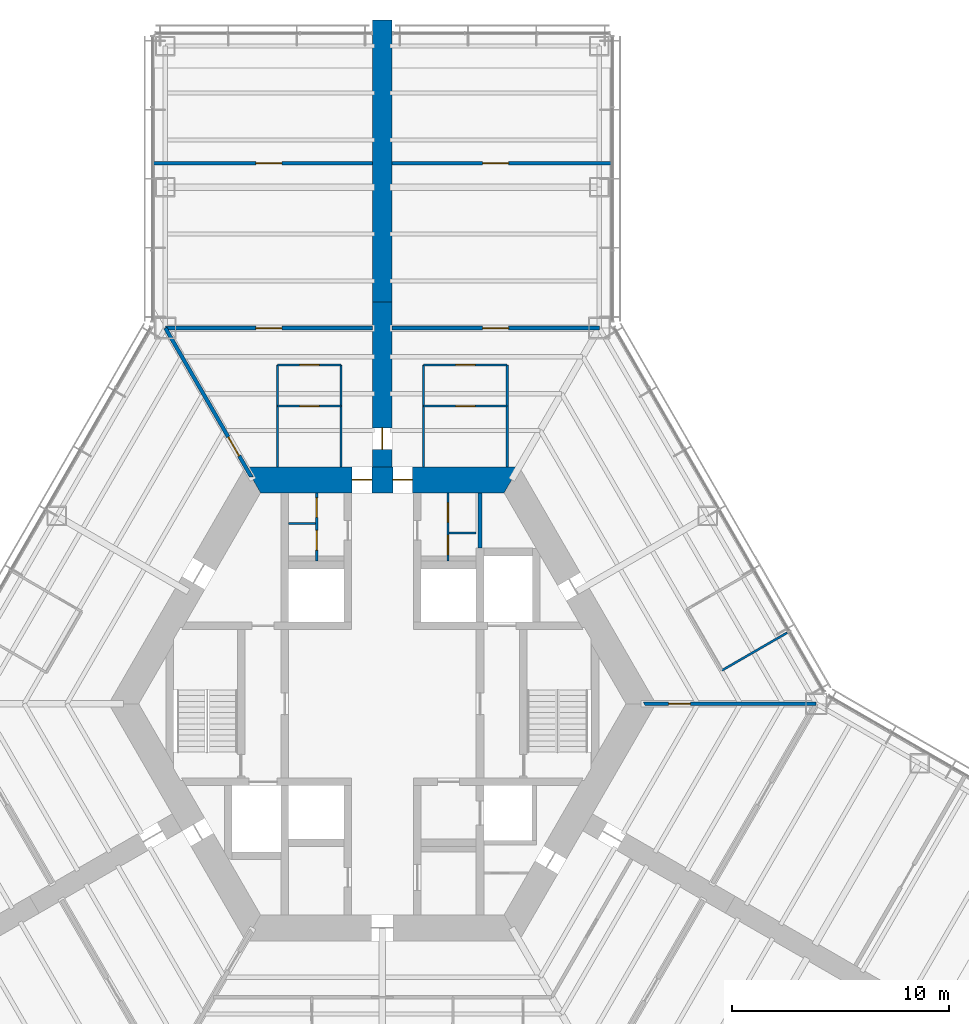
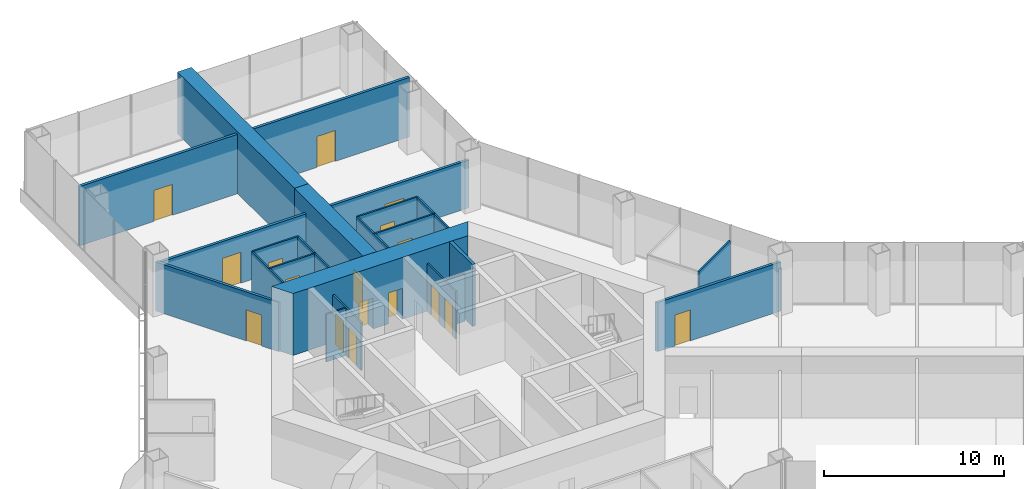
# One storey, part 13 of 16: 23 walls, 17 doors, 17 openings.
"""IFC4 building model written with IfcOpenShell, lengths in metres."""

from ifc_helpers import new_model, si_unit, direction, frame, frame_2d, origin, place, context, subcontext, project, spatial, polyline, rectangle, outline, extrude, material, layer, layer_set, type_object, element, fill, save


model = new_model("IFC4")

# Units and contexts
model_context = context("Model", 3, precision=1e-05, world=origin(), true_north=direction((0.0, 1.0)))
body_context = subcontext(model_context, "Body", "Model", "MODEL_VIEW")
ifc_project = project(units=[si_unit("LENGTHUNIT", "METRE"), si_unit("AREAUNIT", "SQUARE_METRE"), si_unit("VOLUMEUNIT", "CUBIC_METRE"), si_unit("PLANEANGLEUNIT", "RADIAN"), si_unit("MASSUNIT", "GRAM", prefix="KILO")], contexts=[model_context])

# Site, building, storey
site_placement = place(None, origin())
site = spatial("IfcSite", under=ifc_project, at=site_placement, CompositionType="ELEMENT")
building_placement = place(site_placement, origin())
building = spatial("IfcBuilding", under=site, at=building_placement, Name="Kasaneha Research Tower", CompositionType="ELEMENT")
storey_placement = place(building_placement, frame((0.0, 0.0, 26.800048828125)))
storey = spatial("IfcBuildingStorey", under=building, at=storey_placement, Name="L07", CompositionType="ELEMENT", Elevation=26.800048828125)

# Wall, openings, doors
ifc_material_1 = material(Name="Concrete Fc100", Category="concrete")
ifc_layer_1 = layer(ifc_material_1, 1.199951171875)
ifc_layer_set_1 = layer_set([ifc_layer_1], Name="Core wall 1200 Fc100")
wall_type_1 = type_object("IfcWallType", Name="Core wall 1200 Fc100", PredefinedType="SHEAR", material=ifc_layer_set_1)
wall_1_placement = place(storey_placement, frame((5.961181640625, 10.324951171875, 0.0), z_axis=(0.0, 0.0, 1.0), x_axis=(-1.0, 0.0, 0.0)))
wall_1 = element("IfcWall", 1, at=wall_1_placement, inside=storey, type_object=wall_type_1, Name="Core wall 090 L07", PredefinedType="SHEAR", context=body_context, shape_type="SweptSolid", body=[
    extrude(outline(polyline([(-0.346435546875, -0.60009765625), (4.57373046875, -0.60009765625), (5.4736328125, -0.60009765625), (6.44873046875, -0.60009765625), (7.3486328125, -0.60009765625), (12.268798828125, -0.60009765625), (11.575927734375, 0.60009765625), (7.3486328125, 0.60009765625), (6.44873046875, 0.60009765625), (5.4736328125, 0.60009765625), (4.57373046875, 0.60009765625), (0.346435546875, 0.60009765625), (-0.346435546875, -0.60009765625)])), origin(), (0.0, 0.0, 1.0), 4.199951171875),
])
opening_1_placement = place(wall_1_placement, frame((6.44873046875, 0.0, 0.0)))
opening_1 = element("IfcOpeningElement", 2, at=opening_1_placement, cuts=wall_1, Name="Opening L07-D01", PredefinedType="OPENING", context=body_context, shape_type="SweptSolid", body=[
    extrude(rectangle(XDim=0.89990234375, YDim=2.10009765625, at=frame_2d((0.449951171875, 1.050048828125))), frame((0.0, 0.60986328125, 0.0), z_axis=(0.0, -1.0, 0.0), x_axis=(1.0, 0.0, 0.0)), (0.0, 0.0, 1.0), 1.219970703125),
])
opening_2_placement = place(wall_1_placement, frame((4.57373046875, 0.0, 0.0)))
opening_2 = element("IfcOpeningElement", 3, at=opening_2_placement, cuts=wall_1, Name="Opening L07-D02", PredefinedType="OPENING", context=body_context, shape_type="SweptSolid", body=[
    extrude(rectangle(XDim=0.89990234375, YDim=2.10009765625, at=frame_2d((0.449951171875, 1.050048828125))), frame((0.0, 0.60986328125, 0.0), z_axis=(0.0, -1.0, 0.0), x_axis=(1.0, 0.0, 0.0)), (0.0, 0.0, 1.0), 1.219970703125),
])
ifc_material_2 = material(Name="Steel", Category="steel")
door_type_1 = type_object("IfcDoorType", Name="Toilet door FD20 900x2100", OperationType="NOTDEFINED", PredefinedType="DOOR", material=ifc_material_2)
door_1_placement = place(opening_1_placement, origin())
door_1 = element("IfcDoor", 4, at=door_1_placement, inside=storey, type_object=door_type_1, Name="Core door north 1 L07-D01", OperationType="SINGLE_SWING_RIGHT", OverallHeight=2.10009765625, OverallWidth=0.89990234375, PredefinedType="DOOR", context=body_context, shape_type="SweptSolid", body=[
    extrude(rectangle(XDim=0.89990234375, YDim=2.10009765625, at=frame_2d((0.449951171875, 1.050048828125))), frame((0.0, 0.02490234375, 0.0), z_axis=(0.0, -1.0, 0.0), x_axis=(1.0, 0.0, 0.0)), (0.0, 0.0, 1.0), 0.050048828125),
])
fill(opening_1, door_1)
door_2_placement = place(opening_2_placement, origin())
door_2 = element("IfcDoor", 5, at=door_2_placement, inside=storey, type_object=door_type_1, Name="Core door north 2 L07-D02", OperationType="SINGLE_SWING_LEFT", OverallHeight=2.10009765625, OverallWidth=0.89990234375, PredefinedType="DOOR", context=body_context, shape_type="SweptSolid", body=[
    extrude(rectangle(XDim=0.89990234375, YDim=2.10009765625, at=frame_2d((0.449951171875, 1.050048828125))), frame((0.0, 0.02490234375, 0.0), z_axis=(0.0, -1.0, 0.0), x_axis=(1.0, 0.0, 0.0)), (0.0, 0.0, 1.0), 0.050048828125),
])
fill(opening_2, door_2)

# Wall, opening, door
ifc_material_3 = material(Name="Gypsum board on steel studs, two layers each side", Category="steel")
ifc_layer_2 = layer(ifc_material_3, 0.175048828125)
ifc_layer_set_2 = layer_set([ifc_layer_2], Name="Laboratory fire partition 175")
wall_type_2 = type_object("IfcWallType", Name="Laboratory fire partition 175", PredefinedType="PARTITIONING", material=ifc_layer_set_2)
wall_2_placement = place(storey_placement, frame((0.449951171875, 17.320556640625, 0.0), z_axis=(0.0, 0.0, 1.0), x_axis=(1.0, 0.0, 0.0)))
wall_2 = element("IfcWall", 6, at=wall_2_placement, inside=storey, type_object=wall_type_2, Name="Laboratory fire partition LABA-E L07", PredefinedType="PARTITIONING", context=body_context, shape_type="SweptSolid", body=[
    extrude(rectangle(XDim=9.550048828125, YDim=0.175048828125, at=frame_2d((4.77490234375, 0.0))), origin(), (0.0, 0.0, 1.0), 3.238037109375),
])
opening_3_placement = place(wall_2_placement, frame((4.175048828125, 0.0, 0.0)))
opening_3 = element("IfcOpeningElement", 7, at=opening_3_placement, cuts=wall_2, Name="Opening L07-D30", PredefinedType="OPENING", context=body_context, shape_type="SweptSolid", body=[
    extrude(rectangle(XDim=1.199951171875, YDim=2.10009765625, at=frame_2d((0.60009765625, 1.050048828125))), frame((0.0, 0.09765625, 0.0), z_axis=(0.0, -1.0, 0.0), x_axis=(1.0, 0.0, 0.0)), (0.0, 0.0, 1.0), 0.195068359375),
])
ifc_material_4 = material(Name="Steel", Category="steel")
door_type_2 = type_object("IfcDoorType", Name="Laboratory door FD60 1200x2100", OperationType="DOUBLE_DOOR_SINGLE_SWING", PredefinedType="DOOR", material=ifc_material_4)
door_3_placement = place(opening_3_placement, origin())
door_3 = element("IfcDoor", 8, at=door_3_placement, inside=storey, type_object=door_type_2, Name="Laboratory door L07-D30", OperationType="DOUBLE_DOOR_SINGLE_SWING", OverallHeight=2.10009765625, OverallWidth=1.199951171875, PredefinedType="DOOR", context=body_context, shape_type="SweptSolid", body=[
    extrude(rectangle(XDim=1.199951171875, YDim=2.10009765625, at=frame_2d((0.60009765625, 1.050048828125))), frame((0.0, 0.02490234375, 0.0), z_axis=(0.0, -1.0, 0.0), x_axis=(1.0, 0.0, 0.0)), (0.0, 0.0, 1.0), 0.050048828125),
])
fill(opening_3, door_3)

wall_3_placement = place(storey_placement, frame((0.449951171875, 24.92041015625, 0.0), z_axis=(0.0, 0.0, 1.0), x_axis=(1.0, 0.0, 0.0)))
wall_3 = element("IfcWall", 9, at=wall_3_placement, inside=storey, type_object=wall_type_2, Name="Laboratory fire partition SUPA-E L07", PredefinedType="PARTITIONING", context=body_context, shape_type="SweptSolid", body=[
    extrude(rectangle(XDim=10.135009765625, YDim=0.175048828125, at=frame_2d((5.0673828125, 0.0))), origin(), (0.0, 0.0, 1.0), 4.030029296875),
])
opening_4_placement = place(wall_3_placement, frame((4.175048828125, 0.0, 0.0)))
opening_4 = element("IfcOpeningElement", 10, at=opening_4_placement, cuts=wall_3, Name="Opening L07-D32", PredefinedType="OPENING", context=body_context, shape_type="SweptSolid", body=[
    extrude(rectangle(XDim=1.199951171875, YDim=2.10009765625, at=frame_2d((0.60009765625, 1.050048828125))), frame((0.0, 0.09765625, 0.0), z_axis=(0.0, -1.0, 0.0), x_axis=(1.0, 0.0, 0.0)), (0.0, 0.0, 1.0), 0.195068359375),
])
door_4_placement = place(opening_4_placement, origin())
door_4 = element("IfcDoor", 11, at=door_4_placement, inside=storey, type_object=door_type_2, Name="Laboratory support room door L07-D32", OperationType="DOUBLE_DOOR_SINGLE_SWING", OverallHeight=2.10009765625, OverallWidth=1.199951171875, PredefinedType="DOOR", context=body_context, shape_type="SweptSolid", body=[
    extrude(rectangle(XDim=1.199951171875, YDim=2.10009765625, at=frame_2d((0.60009765625, 1.050048828125))), frame((0.0, 0.02490234375, 0.0), z_axis=(0.0, -1.0, 0.0), x_axis=(1.0, 0.0, 0.0)), (0.0, 0.0, 1.0), 0.050048828125),
])
fill(opening_4, door_4)

wall_4_placement = place(storey_placement, frame((-0.449951171875, 17.320556640625, 0.0), z_axis=(0.0, 0.0, 1.0), x_axis=(-1.0, 0.0, 0.0)))
wall_4 = element("IfcWall", 12, at=wall_4_placement, inside=storey, type_object=wall_type_2, Name="Laboratory fire partition LABA-W L07", PredefinedType="PARTITIONING", context=body_context, shape_type="SweptSolid", body=[
    extrude(rectangle(XDim=9.550048828125, YDim=0.175048828125, at=frame_2d((4.77490234375, 0.0))), origin(), (0.0, 0.0, 1.0), 3.238037109375),
])
opening_5_placement = place(wall_4_placement, frame((4.175048828125, 0.0, 0.0)))
opening_5 = element("IfcOpeningElement", 13, at=opening_5_placement, cuts=wall_4, Name="Opening L07-D35", PredefinedType="OPENING", context=body_context, shape_type="SweptSolid", body=[
    extrude(rectangle(XDim=1.199951171875, YDim=2.10009765625, at=frame_2d((0.60009765625, 1.050048828125))), frame((0.0, 0.09765625, 0.0), z_axis=(0.0, -1.0, 0.0), x_axis=(1.0, 0.0, 0.0)), (0.0, 0.0, 1.0), 0.195068359375),
])
door_5_placement = place(opening_5_placement, origin())
door_5 = element("IfcDoor", 14, at=door_5_placement, inside=storey, type_object=door_type_2, Name="Laboratory door L07-D35", OperationType="DOUBLE_DOOR_SINGLE_SWING", OverallHeight=2.10009765625, OverallWidth=1.199951171875, PredefinedType="DOOR", context=body_context, shape_type="SweptSolid", body=[
    extrude(rectangle(XDim=1.199951171875, YDim=2.10009765625, at=frame_2d((0.60009765625, 1.050048828125))), frame((0.0, 0.02490234375, 0.0), z_axis=(0.0, -1.0, 0.0), x_axis=(1.0, 0.0, 0.0)), (0.0, 0.0, 1.0), 0.050048828125),
])
fill(opening_5, door_5)

wall_5_placement = place(storey_placement, frame((-0.449951171875, 24.92041015625, 0.0), z_axis=(0.0, 0.0, 1.0), x_axis=(-1.0, 0.0, 0.0)))
wall_5 = element("IfcWall", 15, at=wall_5_placement, inside=storey, type_object=wall_type_2, Name="Laboratory fire partition SUPA-W L07", PredefinedType="PARTITIONING", context=body_context, shape_type="SweptSolid", body=[
    extrude(rectangle(XDim=10.135009765625, YDim=0.175048828125, at=frame_2d((5.0673828125, 0.0))), origin(), (0.0, 0.0, 1.0), 4.030029296875),
])
opening_6_placement = place(wall_5_placement, frame((4.175048828125, 0.0, 0.0)))
opening_6 = element("IfcOpeningElement", 16, at=opening_6_placement, cuts=wall_5, Name="Opening L07-D36", PredefinedType="OPENING", context=body_context, shape_type="SweptSolid", body=[
    extrude(rectangle(XDim=1.199951171875, YDim=2.10009765625, at=frame_2d((0.60009765625, 1.050048828125))), frame((0.0, 0.09765625, 0.0), z_axis=(0.0, -1.0, 0.0), x_axis=(1.0, 0.0, 0.0)), (0.0, 0.0, 1.0), 0.195068359375),
])
door_6_placement = place(opening_6_placement, origin())
door_6 = element("IfcDoor", 17, at=door_6_placement, inside=storey, type_object=door_type_2, Name="Laboratory support room door L07-D36", OperationType="DOUBLE_DOOR_SINGLE_SWING", OverallHeight=2.10009765625, OverallWidth=1.199951171875, PredefinedType="DOOR", context=body_context, shape_type="SweptSolid", body=[
    extrude(rectangle(XDim=1.199951171875, YDim=2.10009765625, at=frame_2d((0.60009765625, 1.050048828125))), frame((0.0, 0.02490234375, 0.0), z_axis=(0.0, -1.0, 0.0), x_axis=(1.0, 0.0, 0.0)), (0.0, 0.0, 1.0), 0.050048828125),
])
fill(opening_6, door_6)

# Wall, openings, doors
ifc_material_5 = material(Name="Gypsum board on steel studs, one layer each side", Category="steel")
ifc_layer_3 = layer(ifc_material_5, 0.10009765625)
ifc_layer_set_3 = layer_set([ifc_layer_3], Name="Office partition 100")
wall_type_3 = type_object("IfcWallType", Name="Office partition 100", PredefinedType="PARTITIONING", material=ifc_layer_set_3)
wall_6_placement = place(storey_placement, frame((-3.02490234375, 6.574951171875, 0.0), z_axis=(0.0, 0.0, 1.0), x_axis=(0.0, 1.0, 0.0)))
wall_6 = element("IfcWall", 18, at=wall_6_placement, inside=storey, type_object=wall_type_3, Name="Office partition TBM1 L07", PredefinedType="PARTITIONING", context=body_context, shape_type="SweptSolid", body=[
    extrude(rectangle(XDim=3.150146484375, YDim=0.10009765625, at=frame_2d((1.5751953125, 0.0))), origin(), (0.0, 0.0, 1.0), 3.22998046875),
])
opening_7_placement = place(wall_6_placement, frame((2.014892578125, 0.0, 0.0)))
opening_7 = element("IfcOpeningElement", 19, at=opening_7_placement, cuts=wall_6, Name="Opening L07-D20", PredefinedType="OPENING", context=body_context, shape_type="SweptSolid", body=[
    extrude(rectangle(XDim=0.89990234375, YDim=2.10009765625, at=frame_2d((0.449951171875, 1.050048828125))), frame((0.0, 0.06005859375, 0.0), z_axis=(0.0, -1.0, 0.0), x_axis=(1.0, 0.0, 0.0)), (0.0, 0.0, 1.0), 0.1201171875),
])
opening_8_placement = place(wall_6_placement, frame((0.514892578125, 0.0, 0.0)))
opening_8 = element("IfcOpeningElement", 20, at=opening_8_placement, cuts=wall_6, Name="Opening L07-D21", PredefinedType="OPENING", context=body_context, shape_type="SweptSolid", body=[
    extrude(rectangle(XDim=0.89990234375, YDim=2.10009765625, at=frame_2d((0.449951171875, 1.050048828125))), frame((0.0, 0.06005859375, 0.0), z_axis=(0.0, -1.0, 0.0), x_axis=(1.0, 0.0, 0.0)), (0.0, 0.0, 1.0), 0.1201171875),
])
ifc_material_6 = material(Name="Steel", Category="steel")
door_type_3 = type_object("IfcDoorType", Name="Toilet lobby door FD30 900x2100", OperationType="NOTDEFINED", PredefinedType="DOOR", material=ifc_material_6)
door_7_placement = place(opening_7_placement, origin())
door_7 = element("IfcDoor", 21, at=door_7_placement, inside=storey, type_object=door_type_3, Name="Men's WC door L07-D20", OperationType="SINGLE_SWING_RIGHT", OverallHeight=2.10009765625, OverallWidth=0.89990234375, PredefinedType="DOOR", context=body_context, shape_type="SweptSolid", body=[
    extrude(rectangle(XDim=0.89990234375, YDim=2.10009765625, at=frame_2d((0.449951171875, 1.050048828125))), frame((0.0, 0.02490234375, 0.0), z_axis=(0.0, -1.0, 0.0), x_axis=(1.0, 0.0, 0.0)), (0.0, 0.0, 1.0), 0.050048828125),
])
fill(opening_7, door_7)
door_8_placement = place(opening_8_placement, origin())
door_8 = element("IfcDoor", 22, at=door_8_placement, inside=storey, type_object=door_type_3, Name="Shower room door L07-D21", OperationType="SINGLE_SWING_RIGHT", OverallHeight=2.10009765625, OverallWidth=0.89990234375, PredefinedType="DOOR", context=body_context, shape_type="SweptSolid", body=[
    extrude(rectangle(XDim=0.89990234375, YDim=2.10009765625, at=frame_2d((0.449951171875, 1.050048828125))), frame((0.0, 0.02490234375, 0.0), z_axis=(0.0, -1.0, 0.0), x_axis=(1.0, 0.0, 0.0)), (0.0, 0.0, 1.0), 0.050048828125),
])
fill(opening_8, door_8)

# Wall
wall_7_placement = place(storey_placement, frame((-3.074951171875, 8.304931640625, 0.0), z_axis=(0.0, 0.0, 1.0), x_axis=(-1.0, 0.0, 0.0)))
element("IfcWall", 23, at=wall_7_placement, inside=storey, type_object=wall_type_3, Name="Office partition TBM2 L07", PredefinedType="PARTITIONING", context=body_context, shape_type="SweptSolid", body=[
    extrude(rectangle(XDim=1.25, YDim=0.10009765625, at=frame_2d((0.625, 0.0))), origin(), (0.0, 0.0, 1.0), 3.22998046875),
])

# Wall, openings, doors
wall_8_placement = place(storey_placement, frame((3.02490234375, 6.574951171875, 0.0), z_axis=(0.0, 0.0, 1.0), x_axis=(0.0, 1.0, 0.0)))
wall_8 = element("IfcWall", 24, at=wall_8_placement, inside=storey, type_object=wall_type_3, Name="Office partition TBF1 L07", PredefinedType="PARTITIONING", context=body_context, shape_type="SweptSolid", body=[
    extrude(rectangle(XDim=3.150146484375, YDim=0.10009765625, at=frame_2d((1.5751953125, 0.0))), origin(), (0.0, 0.0, 1.0), 3.22998046875),
])
opening_9_placement = place(wall_8_placement, frame((1.800048828125, 0.0, 0.0)))
opening_9 = element("IfcOpeningElement", 25, at=opening_9_placement, cuts=wall_8, Name="Opening L07-D22", PredefinedType="OPENING", context=body_context, shape_type="SweptSolid", body=[
    extrude(rectangle(XDim=0.89990234375, YDim=2.10009765625, at=frame_2d((0.449951171875, 1.050048828125))), frame((0.0, 0.06005859375, 0.0), z_axis=(0.0, -1.0, 0.0), x_axis=(1.0, 0.0, 0.0)), (0.0, 0.0, 1.0), 0.1201171875),
])
opening_10_placement = place(wall_8_placement, frame((0.300048828125, 0.0, 0.0)))
opening_10 = element("IfcOpeningElement", 26, at=opening_10_placement, cuts=wall_8, Name="Opening L07-D23", PredefinedType="OPENING", context=body_context, shape_type="SweptSolid", body=[
    extrude(rectangle(XDim=0.89990234375, YDim=2.10009765625, at=frame_2d((0.449951171875, 1.050048828125))), frame((0.0, 0.06005859375, 0.0), z_axis=(0.0, -1.0, 0.0), x_axis=(1.0, 0.0, 0.0)), (0.0, 0.0, 1.0), 0.1201171875),
])
door_9_placement = place(opening_9_placement, origin())
door_9 = element("IfcDoor", 27, at=door_9_placement, inside=storey, type_object=door_type_3, Name="Women's WC door L07-D22", OperationType="SINGLE_SWING_RIGHT", OverallHeight=2.10009765625, OverallWidth=0.89990234375, PredefinedType="DOOR", context=body_context, shape_type="SweptSolid", body=[
    extrude(rectangle(XDim=0.89990234375, YDim=2.10009765625, at=frame_2d((0.449951171875, 1.050048828125))), frame((0.0, 0.02490234375, 0.0), z_axis=(0.0, -1.0, 0.0), x_axis=(1.0, 0.0, 0.0)), (0.0, 0.0, 1.0), 0.050048828125),
])
fill(opening_9, door_9)
door_10_placement = place(opening_10_placement, origin())
door_10 = element("IfcDoor", 28, at=door_10_placement, inside=storey, type_object=door_type_3, Name="Cleaner's store door L07-D23", OperationType="SINGLE_SWING_RIGHT", OverallHeight=2.10009765625, OverallWidth=0.89990234375, PredefinedType="DOOR", context=body_context, shape_type="SweptSolid", body=[
    extrude(rectangle(XDim=0.89990234375, YDim=2.10009765625, at=frame_2d((0.449951171875, 1.050048828125))), frame((0.0, 0.02490234375, 0.0), z_axis=(0.0, -1.0, 0.0), x_axis=(1.0, 0.0, 0.0)), (0.0, 0.0, 1.0), 0.050048828125),
])
fill(opening_10, door_10)

# Wall
wall_9_placement = place(storey_placement, frame((3.074951171875, 7.875, 0.0), z_axis=(0.0, 0.0, 1.0), x_axis=(1.0, 0.0, 0.0)))
element("IfcWall", 29, at=wall_9_placement, inside=storey, type_object=wall_type_3, Name="Office partition TBF2 L07", PredefinedType="PARTITIONING", context=body_context, shape_type="SweptSolid", body=[
    extrude(rectangle(XDim=1.25, YDim=0.10009765625, at=frame_2d((0.625, 0.0))), origin(), (0.0, 0.0, 1.0), 3.22998046875),
])

# Wall, opening, door
wall_10_placement = place(storey_placement, frame((1.89990234375, 13.72509765625, 0.0), z_axis=(0.0, 0.0, 1.0), x_axis=(1.0, 0.0, 0.0)))
wall_10 = element("IfcWall", 30, at=wall_10_placement, inside=storey, type_object=wall_type_3, Name="Office partition WCAE1 L07", PredefinedType="PARTITIONING", context=body_context, shape_type="SweptSolid", body=[
    extrude(rectangle(XDim=3.857177734375, YDim=0.10009765625, at=frame_2d((1.9287109375, 0.0))), origin(), (0.0, 0.0, 1.0), 3.22998046875),
])
opening_11_placement = place(wall_10_placement, frame((1.478515625, 0.0, 0.0)))
opening_11 = element("IfcOpeningElement", 31, at=opening_11_placement, cuts=wall_10, Name="Opening L07-D28", PredefinedType="OPENING", context=body_context, shape_type="SweptSolid", body=[
    extrude(rectangle(XDim=0.89990234375, YDim=2.10009765625, at=frame_2d((0.449951171875, 1.050048828125))), frame((0.0, 0.06005859375, 0.0), z_axis=(0.0, -1.0, 0.0), x_axis=(1.0, 0.0, 0.0)), (0.0, 0.0, 1.0), 0.1201171875),
])
door_11_placement = place(opening_11_placement, origin())
door_11 = element("IfcDoor", 32, at=door_11_placement, inside=storey, type_object=door_type_3, Name="Women's WC door L07-D28", OperationType="SINGLE_SWING_RIGHT", OverallHeight=2.10009765625, OverallWidth=0.89990234375, PredefinedType="DOOR", context=body_context, shape_type="SweptSolid", body=[
    extrude(rectangle(XDim=0.89990234375, YDim=2.10009765625, at=frame_2d((0.449951171875, 1.050048828125))), frame((0.0, 0.02490234375, 0.0), z_axis=(0.0, -1.0, 0.0), x_axis=(1.0, 0.0, 0.0)), (0.0, 0.0, 1.0), 0.050048828125),
])
fill(opening_11, door_11)

wall_11_placement = place(storey_placement, frame((1.89990234375, 15.625, 0.0), z_axis=(0.0, 0.0, 1.0), x_axis=(1.0, 0.0, 0.0)))
wall_11 = element("IfcWall", 33, at=wall_11_placement, inside=storey, type_object=wall_type_3, Name="Office partition WCAE4 L07", PredefinedType="PARTITIONING", context=body_context, shape_type="SweptSolid", body=[
    extrude(rectangle(XDim=3.857177734375, YDim=0.10009765625, at=frame_2d((1.9287109375, 0.0))), origin(), (0.0, 0.0, 1.0), 3.22998046875),
])
opening_12_placement = place(wall_11_placement, frame((1.478515625, 0.0, 0.0)))
opening_12 = element("IfcOpeningElement", 34, at=opening_12_placement, cuts=wall_11, Name="Opening L07-D29", PredefinedType="OPENING", context=body_context, shape_type="SweptSolid", body=[
    extrude(rectangle(XDim=0.89990234375, YDim=2.10009765625, at=frame_2d((0.449951171875, 1.050048828125))), frame((0.0, 0.06005859375, 0.0), z_axis=(0.0, -1.0, 0.0), x_axis=(1.0, 0.0, 0.0)), (0.0, 0.0, 1.0), 0.1201171875),
])
door_12_placement = place(opening_12_placement, origin())
door_12 = element("IfcDoor", 35, at=door_12_placement, inside=storey, type_object=door_type_3, Name="Toilet lobby door L07-D29", OperationType="SINGLE_SWING_RIGHT", OverallHeight=2.10009765625, OverallWidth=0.89990234375, PredefinedType="DOOR", context=body_context, shape_type="SweptSolid", body=[
    extrude(rectangle(XDim=0.89990234375, YDim=2.10009765625, at=frame_2d((0.449951171875, 1.050048828125))), frame((0.0, 0.02490234375, 0.0), z_axis=(0.0, -1.0, 0.0), x_axis=(1.0, 0.0, 0.0)), (0.0, 0.0, 1.0), 0.050048828125),
])
fill(opening_12, door_12)

# Walls
for number, where, z_axis, x_axis, name in (
    (36, (1.89990234375, 10.925048828125, 0.0), (0.0, 0.0, 1.0), (0.0, 1.0, 0.0), "Office partition WCAE2 L07"),
    (37, (5.757080078125, 10.925048828125, 0.0), (0.0, 0.0, 1.0), (0.0, 1.0, 0.0), "Office partition WCAE3 L07"),
):
    element("IfcWall", number, at=place(storey_placement, frame(where, z_axis=z_axis, x_axis=x_axis)), inside=storey, type_object=wall_type_3, Name=name, PredefinedType="PARTITIONING", context=body_context, shape_type="SweptSolid", body=[
        extrude(rectangle(XDim=4.699951171875, YDim=0.10009765625, at=frame_2d((2.35009765625, 0.0))), origin(), (0.0, 0.0, 1.0), 3.22998046875),
    ])
wall_12_placement = place(storey_placement, frame((18.662109375, 3.27734375, 0.0), z_axis=(0.0, 0.0, 1.0), x_axis=(-0.866037222451, -0.499979528911, 0.0)))
element("IfcWall", 38, at=wall_12_placement, inside=storey, type_object=wall_type_3, Name="Office partition FAE03 L07", PredefinedType="PARTITIONING", context=body_context, shape_type="SweptSolid", body=[
    extrude(rectangle(XDim=3.480224609375, YDim=0.10009765625, at=frame_2d((1.740234375, 0.0))), origin(), (0.0, 0.0, 1.0), 3.22998046875),
])

# Wall, opening, door
wall_13_placement = place(storey_placement, frame((-4.82861328125, 13.72509765625, 0.0), z_axis=(0.0, 0.0, 1.0), x_axis=(1.0, 0.0, 0.0)))
wall_13 = element("IfcWall", 39, at=wall_13_placement, inside=storey, type_object=wall_type_3, Name="Office partition WCAW1 L07", PredefinedType="PARTITIONING", context=body_context, shape_type="SweptSolid", body=[
    extrude(rectangle(XDim=2.9287109375, YDim=0.10009765625, at=frame_2d((1.46435546875, 0.0))), origin(), (0.0, 0.0, 1.0), 3.22998046875),
])
opening_13_placement = place(wall_13_placement, frame((1.01416015625, 0.0, 0.0)))
opening_13 = element("IfcOpeningElement", 40, at=opening_13_placement, cuts=wall_13, Name="Opening L07-D33", PredefinedType="OPENING", context=body_context, shape_type="SweptSolid", body=[
    extrude(rectangle(XDim=0.89990234375, YDim=2.10009765625, at=frame_2d((0.449951171875, 1.050048828125))), frame((0.0, 0.06005859375, 0.0), z_axis=(0.0, -1.0, 0.0), x_axis=(1.0, 0.0, 0.0)), (0.0, 0.0, 1.0), 0.1201171875),
])
door_13_placement = place(opening_13_placement, origin())
door_13 = element("IfcDoor", 41, at=door_13_placement, inside=storey, type_object=door_type_3, Name="Men's WC door L07-D33", OperationType="SINGLE_SWING_LEFT", OverallHeight=2.10009765625, OverallWidth=0.89990234375, PredefinedType="DOOR", context=body_context, shape_type="SweptSolid", body=[
    extrude(rectangle(XDim=0.89990234375, YDim=2.10009765625, at=frame_2d((0.449951171875, 1.050048828125))), frame((0.0, 0.02490234375, 0.0), z_axis=(0.0, -1.0, 0.0), x_axis=(1.0, 0.0, 0.0)), (0.0, 0.0, 1.0), 0.050048828125),
])
fill(opening_13, door_13)

wall_14_placement = place(storey_placement, frame((-4.82861328125, 15.625, 0.0), z_axis=(0.0, 0.0, 1.0), x_axis=(1.0, 0.0, 0.0)))
wall_14 = element("IfcWall", 42, at=wall_14_placement, inside=storey, type_object=wall_type_3, Name="Office partition WCAW4 L07", PredefinedType="PARTITIONING", context=body_context, shape_type="SweptSolid", body=[
    extrude(rectangle(XDim=2.9287109375, YDim=0.10009765625, at=frame_2d((1.46435546875, 0.0))), origin(), (0.0, 0.0, 1.0), 3.22998046875),
])
opening_14_placement = place(wall_14_placement, frame((1.01416015625, 0.0, 0.0)))
opening_14 = element("IfcOpeningElement", 43, at=opening_14_placement, cuts=wall_14, Name="Opening L07-D34", PredefinedType="OPENING", context=body_context, shape_type="SweptSolid", body=[
    extrude(rectangle(XDim=0.89990234375, YDim=2.10009765625, at=frame_2d((0.449951171875, 1.050048828125))), frame((0.0, 0.06005859375, 0.0), z_axis=(0.0, -1.0, 0.0), x_axis=(1.0, 0.0, 0.0)), (0.0, 0.0, 1.0), 0.1201171875),
])
door_14_placement = place(opening_14_placement, origin())
door_14 = element("IfcDoor", 44, at=door_14_placement, inside=storey, type_object=door_type_3, Name="Toilet lobby door L07-D34", OperationType="SINGLE_SWING_LEFT", OverallHeight=2.10009765625, OverallWidth=0.89990234375, PredefinedType="DOOR", context=body_context, shape_type="SweptSolid", body=[
    extrude(rectangle(XDim=0.89990234375, YDim=2.10009765625, at=frame_2d((0.449951171875, 1.050048828125))), frame((0.0, 0.02490234375, 0.0), z_axis=(0.0, -1.0, 0.0), x_axis=(1.0, 0.0, 0.0)), (0.0, 0.0, 1.0), 0.050048828125),
])
fill(opening_14, door_14)

# Walls
for number, where, z_axis, x_axis, name in (
    (45, (-1.89990234375, 10.925048828125, 0.0), (0.0, 0.0, 1.0), (0.0, 1.0, 0.0), "Office partition WCAW2 L07"),
    (46, (-4.82861328125, 10.925048828125, 0.0), (0.0, 0.0, 1.0), (0.0, 1.0, 0.0), "Office partition WCAW3 L07"),
):
    element("IfcWall", number, at=place(storey_placement, frame(where, z_axis=z_axis, x_axis=x_axis)), inside=storey, type_object=wall_type_3, Name=name, PredefinedType="PARTITIONING", context=body_context, shape_type="SweptSolid", body=[
        extrude(rectangle(XDim=4.699951171875, YDim=0.10009765625, at=frame_2d((2.35009765625, 0.0))), origin(), (0.0, 0.0, 1.0), 3.22998046875),
    ])
ifc_material_7 = material(Name="Concrete block", Category="concrete")
ifc_layer_4 = layer(ifc_material_7, 0.199951171875)
ifc_layer_set_4 = layer_set([ifc_layer_4], Name="Riser enclosure wall 200")
wall_type_4 = type_object("IfcWallType", Name="Riser enclosure wall 200", PredefinedType="STANDARD", material=ifc_layer_set_4)
wall_15_placement = place(storey_placement, frame((4.5, 7.175048828125, 0.0), z_axis=(0.0, 0.0, 1.0), x_axis=(0.0, 1.0, 0.0)))
element("IfcWall", 47, at=wall_15_placement, inside=storey, type_object=wall_type_4, Name="Riser enclosure wall L07", PredefinedType="STANDARD", context=body_context, shape_type="SweptSolid", body=[
    extrude(rectangle(XDim=2.550048828125, YDim=0.199951171875, at=frame_2d((1.27490234375, 0.0))), origin(), (0.0, 0.0, 1.0), 4.199951171875),
])

# Wall, opening, door
ifc_material_8 = material(Name="Concrete Fc100", Category="concrete")
ifc_layer_5 = layer(ifc_material_8, 0.89990234375)
ifc_layer_set_5 = layer_set([ifc_layer_5], Name="Spine wall 900 Fc100")
wall_type_5 = type_object("IfcWallType", Name="Spine wall 900 Fc100", PredefinedType="SHEAR", material=ifc_layer_set_5)
wall_16_placement = place(storey_placement, frame((0.0, 10.925048828125, 0.0), z_axis=(0.0, 0.0, 1.0), x_axis=(0.0, 1.0, 0.0)))
wall_16 = element("IfcWall", 48, at=wall_16_placement, inside=storey, type_object=wall_type_5, Name="Spine wall A L07", PredefinedType="SHEAR", context=body_context, shape_type="SweptSolid", body=[
    extrude(rectangle(XDim=7.595458984375, YDim=0.89990234375, at=frame_2d((3.7978515625, 0.0))), origin(), (0.0, 0.0, 1.0), 4.199951171875),
])
opening_15_placement = place(wall_16_placement, frame((0.800048828125, 0.0, 0.0)))
opening_15 = element("IfcOpeningElement", 49, at=opening_15_placement, cuts=wall_16, Name="Opening L07-D17", PredefinedType="OPENING", context=body_context, shape_type="SweptSolid", body=[
    extrude(rectangle(XDim=1.0, YDim=2.10009765625, at=frame_2d((0.5, 1.050048828125))), frame((0.0, 0.4599609375, 0.0), z_axis=(0.0, -1.0, 0.0), x_axis=(1.0, 0.0, 0.0)), (0.0, 0.0, 1.0), 0.919921875),
])
ifc_material_9 = material(Name="Steel", Category="steel")
door_type_4 = type_object("IfcDoorType", Name="Specified fire door FD60 1000x2100", OperationType="NOTDEFINED", PredefinedType="DOOR", material=ifc_material_9)
door_15_placement = place(opening_15_placement, origin())
door_15 = element("IfcDoor", 50, at=door_15_placement, inside=storey, type_object=door_type_4, Name="Spine doorway A L07-D17", OperationType="SINGLE_SWING_LEFT", OverallHeight=2.10009765625, OverallWidth=1.0, PredefinedType="DOOR", context=body_context, shape_type="SweptSolid", body=[
    extrude(rectangle(XDim=1.0, YDim=2.10009765625, at=frame_2d((0.5, 1.050048828125))), frame((0.0, 0.02490234375, 0.0), z_axis=(0.0, -1.0, 0.0), x_axis=(1.0, 0.0, 0.0)), (0.0, 0.0, 1.0), 0.050048828125),
])
fill(opening_15, door_15)

# Wall
wall_17_placement = place(storey_placement, frame((0.0, 18.5205078125, 0.0), z_axis=(0.0, 0.0, 1.0), x_axis=(0.0, 1.0, 0.0)))
element("IfcWall", 51, at=wall_17_placement, inside=storey, type_object=wall_type_5, Name="Spine wall A wing L07", PredefinedType="SHEAR", context=body_context, shape_type="SweptSolid", body=[
    extrude(rectangle(XDim=13.0, YDim=0.89990234375, at=frame_2d((6.5, 0.0))), origin(), (0.0, 0.0, 1.0), 4.199951171875),
])

# Wall, opening, door
ifc_material_10 = material(Name="Gypsum board on steel studs, two layers each side", Category="steel")
ifc_layer_6 = layer(ifc_material_10, 0.175048828125)
ifc_layer_set_6 = layer_set([ifc_layer_6], Name="Tenancy fire partition 175")
wall_type_6 = type_object("IfcWallType", Name="Tenancy fire partition 175", PredefinedType="PARTITIONING", material=ifc_layer_set_6)
wall_18_placement = place(storey_placement, frame((12.070068359375, 0.0, 0.0), z_axis=(0.0, 0.0, 1.0), x_axis=(1.0, 0.0, 0.0)))
wall_18 = element("IfcWall", 52, at=wall_18_placement, inside=storey, type_object=wall_type_6, Name="Tenancy fire partition T000 L07", PredefinedType="PARTITIONING", context=body_context, shape_type="SweptSolid", body=[
    extrude(outline(polyline([(0.050537109375, -0.08740234375), (1.12939453125, -0.08740234375), (2.12939453125, -0.08740234375), (7.929931640625, -0.08740234375), (7.929931640625, 0.08740234375), (2.12939453125, 0.08740234375), (1.12939453125, 0.08740234375), (-0.050537109375, 0.08740234375), (0.050537109375, -0.08740234375)])), origin(), (0.0, 0.0, 1.0), 3.329833984375),
])
opening_16_placement = place(wall_18_placement, frame((1.12939453125, 0.0, 0.0)))
opening_16 = element("IfcOpeningElement", 53, at=opening_16_placement, cuts=wall_18, Name="Opening L07-D25", PredefinedType="OPENING", context=body_context, shape_type="SweptSolid", body=[
    extrude(rectangle(XDim=1.0, YDim=2.10009765625, at=frame_2d((0.5, 1.050048828125))), frame((0.0, 0.09765625, 0.0), z_axis=(0.0, -1.0, 0.0), x_axis=(1.0, 0.0, 0.0)), (0.0, 0.0, 1.0), 0.195068359375),
])
ifc_material_11 = material(Name="Steel", Category="steel")
door_type_5 = type_object("IfcDoorType", Name="Suite entrance door FD60 1000x2100", OperationType="NOTDEFINED", PredefinedType="DOOR", material=ifc_material_11)
door_16_placement = place(opening_16_placement, origin())
door_16 = element("IfcDoor", 54, at=door_16_placement, inside=storey, type_object=door_type_5, Name="Connecting door L07-D25", OperationType="SINGLE_SWING_LEFT", OverallHeight=2.10009765625, OverallWidth=1.0, PredefinedType="DOOR", context=body_context, shape_type="SweptSolid", body=[
    extrude(rectangle(XDim=1.0, YDim=2.10009765625, at=frame_2d((0.5, 1.050048828125))), frame((0.0, 0.02490234375, 0.0), z_axis=(0.0, -1.0, 0.0), x_axis=(1.0, 0.0, 0.0)), (0.0, 0.0, 1.0), 0.050048828125),
])
fill(opening_16, door_16)

wall_19_placement = place(storey_placement, frame((-6.03515625, 10.453125, 0.0), z_axis=(0.0, 0.0, 1.0), x_axis=(-0.499993402427, 0.866029212861, 0.0)))
wall_19 = element("IfcWall", 55, at=wall_19_placement, inside=storey, type_object=wall_type_6, Name="Tenancy fire partition T120 L07", PredefinedType="PARTITIONING", context=body_context, shape_type="SweptSolid", body=[
    extrude(outline(polyline([(-0.050537109375, -0.08740234375), (1.12939453125, -0.08740234375), (2.12939453125, -0.08740234375), (7.9296875, -0.08740234375), (7.9296875, 0.08740234375), (2.12939453125, 0.08740234375), (1.12939453125, 0.08740234375), (0.050537109375, 0.08740234375), (-0.050537109375, -0.08740234375)])), origin(), (0.0, 0.0, 1.0), 3.329833984375),
])
opening_17_placement = place(wall_19_placement, frame((1.12939453125, 0.0, 0.0)))
opening_17 = element("IfcOpeningElement", 56, at=opening_17_placement, cuts=wall_19, Name="Opening L07-D26", PredefinedType="OPENING", context=body_context, shape_type="SweptSolid", body=[
    extrude(rectangle(XDim=1.0, YDim=2.10009765625, at=frame_2d((0.5, 1.050048828125))), frame((0.0, 0.09765625, 0.0), z_axis=(0.0, -1.0, 0.0), x_axis=(1.0, 0.0, 0.0)), (0.0, 0.0, 1.0), 0.195068359375),
])
door_17_placement = place(opening_17_placement, origin())
door_17 = element("IfcDoor", 57, at=door_17_placement, inside=storey, type_object=door_type_5, Name="Connecting door L07-D26", OperationType="SINGLE_SWING_LEFT", OverallHeight=2.10009765625, OverallWidth=1.0, PredefinedType="DOOR", context=body_context, shape_type="SweptSolid", body=[
    extrude(rectangle(XDim=1.0, YDim=2.10009765625, at=frame_2d((0.5, 1.050048828125))), frame((0.0, 0.02490234375, 0.0), z_axis=(0.0, -1.0, 0.0), x_axis=(1.0, 0.0, 0.0)), (0.0, 0.0, 1.0), 0.050048828125),
])
fill(opening_17, door_17)

save(model, "model.ifc")
